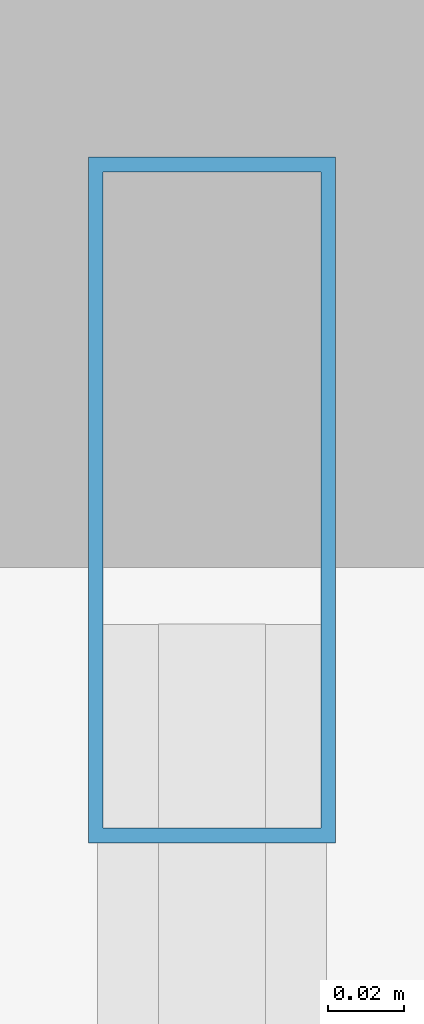
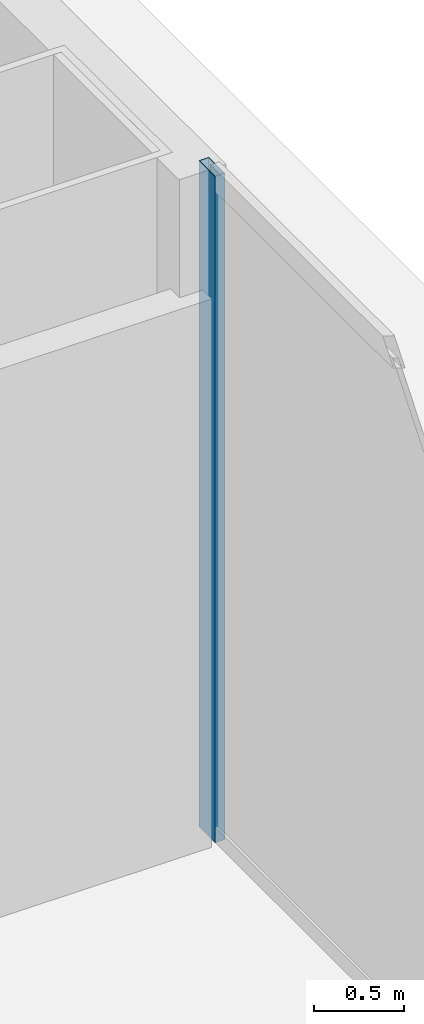
# One storey, part 27 of 58: 1 member, 1 element without a shape of its own.
"""IFC4 building model written with IfcOpenShell, lengths in metres."""

from ifc_helpers import new_model, si_unit, direction, frame, origin, origin_2d, place, context, subcontext, project, spatial, hollow_rectangle, extrude, source, transform, mapped, material, layer, layer_set, material_profile, profile_set, type_object, element, aggregate, save


model = new_model("IFC4")

# Units and contexts
model_context = context("Model", 3, precision=1e-05, world=origin(), true_north=direction((0.0, 1.0)))
body_context = subcontext(model_context, "Body", "Model", "MODEL_VIEW")
ifc_project = project(units=[si_unit("LENGTHUNIT", "METRE"), si_unit("AREAUNIT", "SQUARE_METRE"), si_unit("VOLUMEUNIT", "CUBIC_METRE"), si_unit("PLANEANGLEUNIT", "RADIAN"), si_unit("MASSUNIT", "GRAM", prefix="KILO"), si_unit("THERMODYNAMICTEMPERATUREUNIT", "KELVIN"), si_unit("POWERUNIT", "WATT")], contexts=[model_context])

# Site, building, storey
site_placement = place(None, origin())
site = spatial("IfcSite", under=ifc_project, at=site_placement, CompositionType="ELEMENT")
building_placement = place(site_placement, origin())
building = spatial("IfcBuilding", under=site, at=building_placement, Name="Yunzhuo Pagoda Commons", CompositionType="ELEMENT")
storey_placement = place(building_placement, origin())
storey = spatial("IfcBuildingStorey", under=building, at=storey_placement, Name="L01", CompositionType="ELEMENT", Elevation=0.0)

# Curtain wall, member
ifc_material = material(Name="Anodized aluminium 6063-T6", Category="aluminium")
ifc_layer = layer(ifc_material, 0.179931640625)
ifc_layer_set = layer_set([ifc_layer], Name="Anodized aluminium 6063-T6")
curtain_wall_type = type_object("IfcCurtainWallType", Name="CW-POD Waterfront Podium Curtain Wall", PredefinedType="NOTDEFINED", material=ifc_layer_set)
curtain_wall_placement = place(storey_placement, origin())
curtain_wall = element("IfcCurtainWall", 1, at=curtain_wall_placement, inside=storey, type_object=curtain_wall_type, Name="L01 curtain wall CW-L01-E2", PredefinedType="NOTDEFINED")
ifc_material_profile = material_profile(ifc_material, hollow_rectangle(XDim=0.06494140625, YDim=0.179931640625, WallThickness=0.00390625, at=origin_2d()), Name="Anodized aluminium 6063-T6")
ifc_profile_set = profile_set([ifc_material_profile], Name="Anodized aluminium 6063-T6")
member_type = type_object("IfcMemberType", Name="CW-POD-M Mullion RHS 180x65x4", PredefinedType="MULLION", material=ifc_profile_set)
shared_shape = source(origin(), body_context, "Body", "SweptSolid", [
    extrude(hollow_rectangle(XDim=0.06494140625, YDim=0.179931640625, WallThickness=0.00390625, at=origin_2d()), origin(), (0.0, 0.0, 1.0), 4.520263671875),
])
member_placement = place(storey_placement, frame((91.919921875, 41.167724609375, 0.0), z_axis=(0.0, 0.0, 1.0), x_axis=(-1.0, 0.0, 0.0)))
member = element("IfcMember", 2, at=member_placement, type_object=member_type, Name="CW mullion 4", PredefinedType="MULLION", context=body_context, shape_type="MappedRepresentation", body=[
    mapped(shared_shape, transform((0.0, 0.0, 0.0), scale=1.0)),
])
aggregate(curtain_wall, [member])

save(model, "model.ifc")
